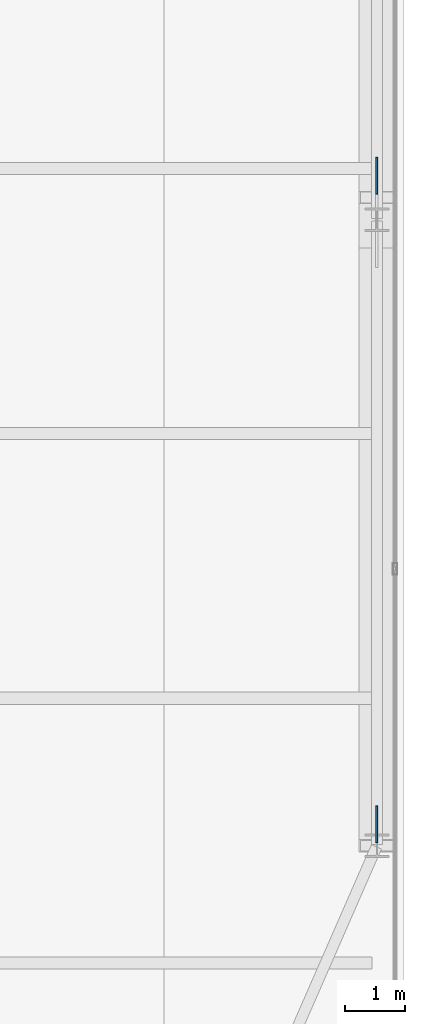
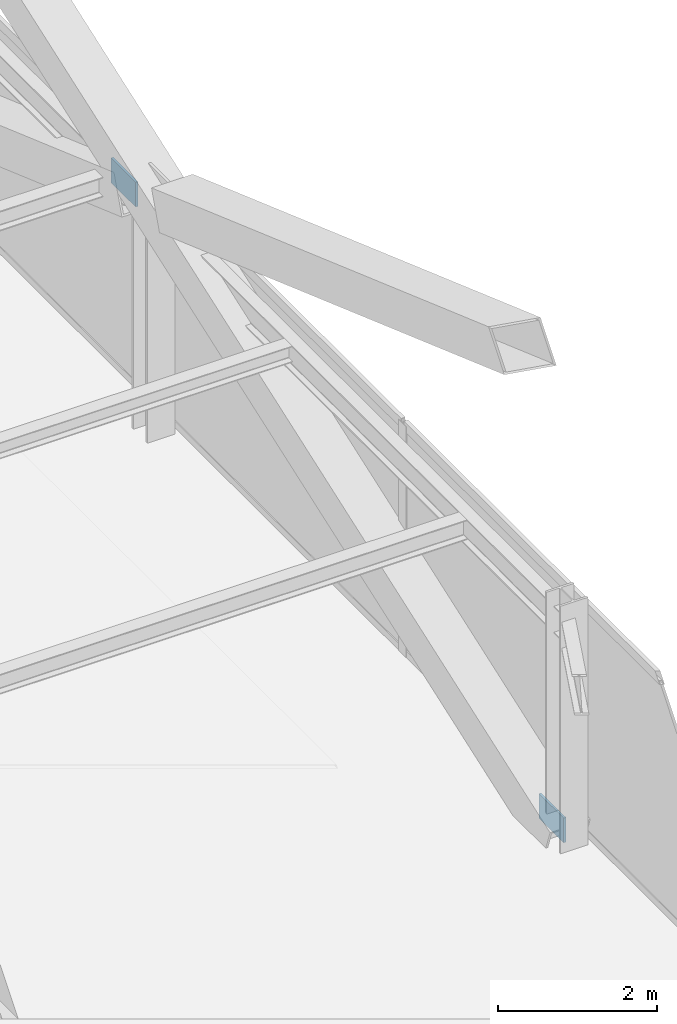
# One storey, part 29 of 35: 2 plates.
"""IFC4 building model written with IfcOpenShell, lengths in metres."""

from ifc_helpers import new_model, si_unit, direction, frame, origin, origin_2d, place, context, subcontext, project, spatial, rectangle, extrude, source, transform, mapped, material, layer, layer_set, type_object, type_shapes, element, save


model = new_model("IFC4")

# Units and contexts
model_context = context("Model", 3, precision=1e-05, world=origin(), true_north=direction((0.0, 1.0)))
body_context = subcontext(model_context, "Body", "Model", "MODEL_VIEW")
ifc_project = project(units=[si_unit("LENGTHUNIT", "METRE"), si_unit("AREAUNIT", "SQUARE_METRE"), si_unit("VOLUMEUNIT", "CUBIC_METRE"), si_unit("PLANEANGLEUNIT", "RADIAN"), si_unit("MASSUNIT", "GRAM", prefix="KILO")], contexts=[model_context])

# Site, building, storey
site_placement = place(None, origin())
site = spatial("IfcSite", under=ifc_project, at=site_placement, CompositionType="ELEMENT")
building_placement = place(site_placement, origin())
building = spatial("IfcBuilding", under=site, at=building_placement, Name="Varnel Quay Broadcast Tower", CompositionType="ELEMENT")
storey_placement = place(building_placement, frame((0.0, 0.0, 87.0)))
storey = spatial("IfcBuildingStorey", under=building, at=storey_placement, Name="L20", CompositionType="ELEMENT", Elevation=87.0)

# Plates
ifc_material = material(Name="Structural Steel CSA G40.21 350WT", Category="steel")
ifc_layer = layer(ifc_material, 0.031982421875, Name="Structural Steel CSA G40.21 350WT")
ifc_layer_set = layer_set([ifc_layer], Name="Structural Steel CSA G40.21 350WT")
plate_type = type_object("IfcPlateType", Name="Plate_EndCap", PredefinedType="USERDEFINED", material=ifc_layer_set)
shared_shape = source(origin(), body_context, "Body", "SweptSolid", [
    extrude(rectangle(XDim=0.6201171875, YDim=0.031982421875, at=origin_2d()), origin(), (0.0, 0.0, 1.0), 0.3798828125),
])
type_shapes(plate_type, [shared_shape])
for number, where, z_axis, x_axis, name in (
    (1, (63.050048828125, 15.358154296875, -0.042724609375), (0.0, 0.0, 1.0), (0.0, 1.0, 0.0), "Zone 2 Mega-Brace E-FT1 Diag A End Connection Plate P0"),
    (2, (63.050048828125, 26.130126953125, 3.1904296875), (0.0, 0.0, 1.0), (0.0, 1.0, 0.0), "Zone 2 Mega-Brace E-FT1 Diag B1 End Connection Plate P1"),
):
    element("IfcPlate", number, at=place(storey_placement, frame(where, z_axis=z_axis, x_axis=x_axis)), inside=storey, type_object=plate_type, Name=name, ObjectType="CAP_PLATE", PredefinedType="USERDEFINED", context=body_context, shape_type="MappedRepresentation", body=[
        mapped(shared_shape, transform((0.0, 0.0, 0.0), x_axis=(1.0, 0.0, 0.0), y_axis=(0.0, 1.0, 0.0), z_axis=(0.0, 0.0, 1.0), scale=1.0)),
    ])

save(model, "model.ifc")
